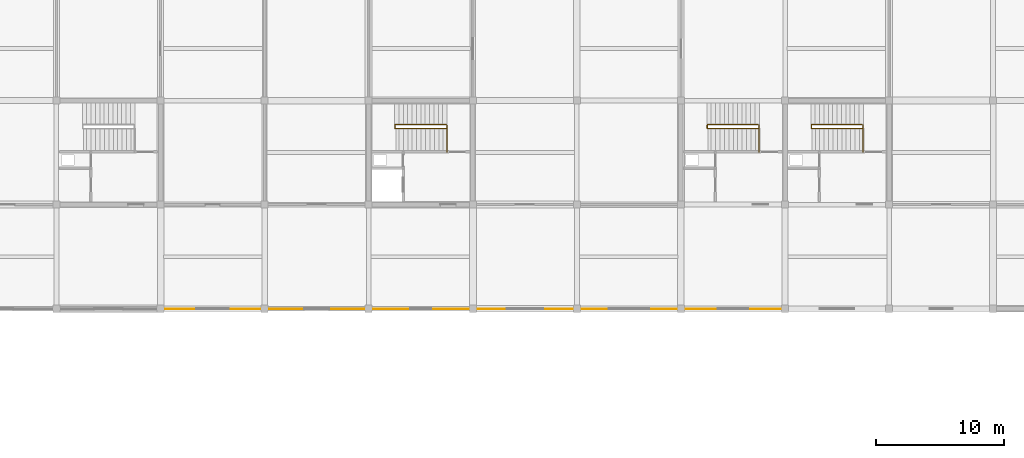
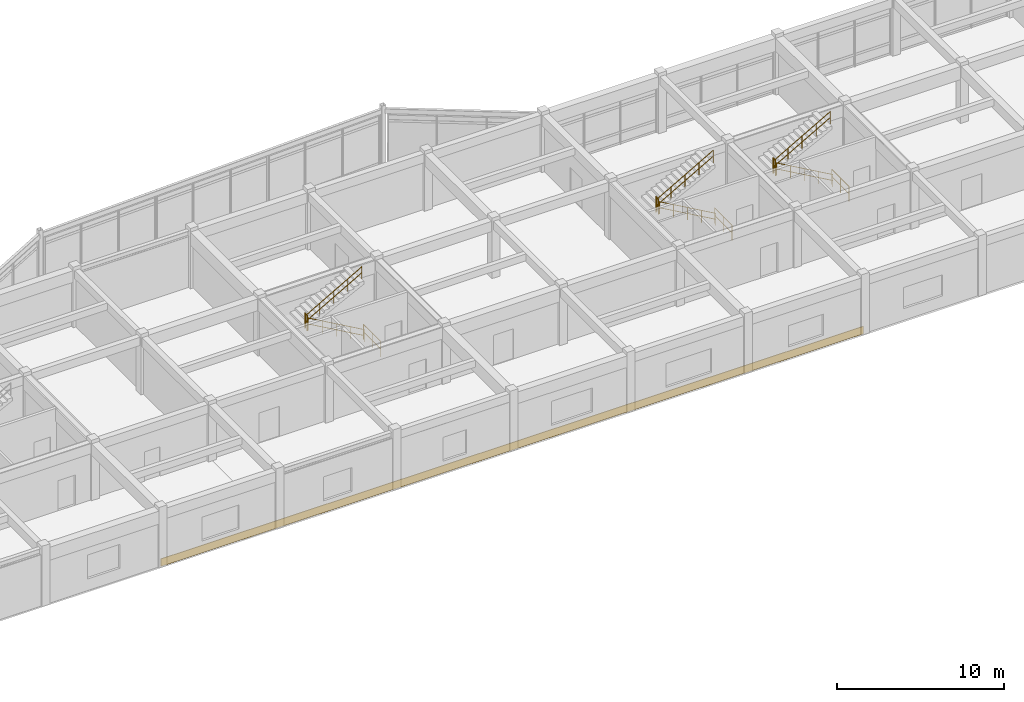
# One storey, part 40 of 42: 12 railings, 1 covering.
"""IFC4 building model written with IfcOpenShell, lengths in metres."""

from ifc_helpers import new_model, si_unit, direction, frame, origin, origin_2d, place, context, subcontext, project, spatial, rectangle, circle, extrude, material, layer, layer_set, type_object, element, save


model = new_model("IFC4")

# Units and contexts
model_context = context("Model", 3, precision=1e-05, world=origin(), true_north=direction((0.0, 1.0)))
body_context = subcontext(model_context, "Body", "Model", "MODEL_VIEW")
ifc_project = project(units=[si_unit("LENGTHUNIT", "METRE"), si_unit("AREAUNIT", "SQUARE_METRE"), si_unit("VOLUMEUNIT", "CUBIC_METRE"), si_unit("PLANEANGLEUNIT", "RADIAN"), si_unit("MASSUNIT", "GRAM", prefix="KILO")], contexts=[model_context])

# Site, building, storey
site_placement = place(None, origin())
site = spatial("IfcSite", under=ifc_project, at=site_placement, CompositionType="ELEMENT")
building_placement = place(site_placement, origin())
building = spatial("IfcBuilding", under=site, at=building_placement, Name="Vaudrelin Polytechnic", CompositionType="ELEMENT")
storey_placement = place(building_placement, frame((0.0, 0.0, 18.530029296875)))
storey = spatial("IfcBuildingStorey", under=building, at=storey_placement, Name="L04", CompositionType="ELEMENT", Elevation=18.530029296875)

# Covering
ifc_material_1 = material(Name="Pre-weathered quartz-zinc standing seam", Category="metal")
ifc_layer = layer(ifc_material_1, 0.044921875)
ifc_layer_set = layer_set([ifc_layer], Name="Pre-weathered quartz-zinc standing seam")
covering_type = type_object("IfcCoveringType", Name="ENV-CLD-ZNC", PredefinedType="CLADDING", material=ifc_layer_set)
covering_placement = place(storey_placement, frame((89.10009765625, 97.179931640625, -0.125), z_axis=(0.0, 0.0, 1.0), x_axis=(1.0, 0.0, 0.0)))
element("IfcCovering", 1, at=covering_placement, inside=storey, type_object=covering_type, Name="Standing-seam zinc fascia cladding CLD-08", PredefinedType="CLADDING", context=body_context, shape_type="SweptSolid", body=[
    extrude(rectangle(XDim=48.60009765625, YDim=0.044921875, at=origin_2d()), origin(), (0.0, 0.0, 1.0), 0.550048828125),
])

# Railings
ifc_material_2 = material(Name="Brushed stainless steel AISI 304", Category="steel")
railing_type_1 = type_object("IfcRailingType", Name="RAL-GR-INT", PredefinedType="GUARDRAIL", material=ifc_material_2)
railing_1_placement = place(storey_placement, frame((87.080078125, 109.409912109375, 0.0)))
element("IfcRailing", 2, at=railing_1_placement, inside=storey, type_object=railing_type_1, Name="ST-02-L03 upper well guardrail", PredefinedType="GUARDRAIL", context=body_context, shape_type="SweptSolid", body=[
    extrude(circle(Radius=0.02392578125, at=origin_2d()), frame((0.0, 0.023193359375, 1.09619140625), z_axis=(0.0, 1.0, 0.0), x_axis=(-1.0, 0.0, 0.0)), (0.0, 0.0, 1.0), 2.02392578125),
    extrude(circle(Radius=0.02392578125, at=origin_2d()), frame((0.0, 0.023193359375, 0.56005859375), z_axis=(0.0, 1.0, 0.0), x_axis=(-1.0, 0.0, 0.0)), (0.0, 0.0, 1.0), 2.02392578125),
    extrude(circle(Radius=0.02099609375, at=origin_2d()), origin(), (0.0, 0.0, 1.0), 1.1201171875),
    extrude(circle(Radius=0.02099609375, at=origin_2d()), frame((0.0, 1.03515625, 0.0)), (0.0, 0.0, 1.0), 1.1201171875),
    extrude(circle(Radius=0.02099609375, at=origin_2d()), frame((0.0, 2.070068359375, 0.0)), (0.0, 0.0, 1.0), 1.1201171875),
])
railing_2_placement = place(storey_placement, frame((83.050048828125, 111.239990234375, 2.2099609375)))
element("IfcRailing", 3, at=railing_2_placement, inside=storey, type_object=railing_type_1, Name="ST-02-L04 landing well guardrail", PredefinedType="GUARDRAIL", context=body_context, shape_type="SweptSolid", body=[
    extrude(circle(Radius=0.02392578125, at=origin_2d()), frame((0.0, 0.023193359375, 1.09619140625), z_axis=(0.0, 1.0, 0.0), x_axis=(-1.0, 0.0, 0.0)), (0.0, 0.0, 1.0), 0.23388671875),
    extrude(circle(Radius=0.02392578125, at=origin_2d()), frame((0.0, 0.023193359375, 0.56005859375), z_axis=(0.0, 1.0, 0.0), x_axis=(-1.0, 0.0, 0.0)), (0.0, 0.0, 1.0), 0.23388671875),
    extrude(circle(Radius=0.02099609375, at=origin_2d()), origin(), (0.0, 0.0, 1.0), 1.1201171875),
    extrude(circle(Radius=0.02099609375, at=origin_2d()), frame((0.0, 0.280029296875, 0.0)), (0.0, 0.0, 1.0), 1.1201171875),
])
railing_3_placement = place(storey_placement, frame((119.47998046875, 109.409912109375, 0.0)))
element("IfcRailing", 4, at=railing_3_placement, inside=storey, type_object=railing_type_1, Name="ST-10-L03 upper well guardrail", PredefinedType="GUARDRAIL", context=body_context, shape_type="SweptSolid", body=[
    extrude(circle(Radius=0.02392578125, at=origin_2d()), frame((0.0, 0.023193359375, 1.09619140625), z_axis=(0.0, 1.0, 0.0), x_axis=(-1.0, 0.0, 0.0)), (0.0, 0.0, 1.0), 2.02392578125),
    extrude(circle(Radius=0.02392578125, at=origin_2d()), frame((0.0, 0.023193359375, 0.56005859375), z_axis=(0.0, 1.0, 0.0), x_axis=(-1.0, 0.0, 0.0)), (0.0, 0.0, 1.0), 2.02392578125),
    extrude(circle(Radius=0.02099609375, at=origin_2d()), origin(), (0.0, 0.0, 1.0), 1.1201171875),
    extrude(circle(Radius=0.02099609375, at=origin_2d()), frame((0.0, 1.03515625, 0.0)), (0.0, 0.0, 1.0), 1.1201171875),
    extrude(circle(Radius=0.02099609375, at=origin_2d()), frame((0.0, 2.070068359375, 0.0)), (0.0, 0.0, 1.0), 1.1201171875),
])
railing_4_placement = place(storey_placement, frame((115.449951171875, 111.239990234375, 2.2099609375)))
element("IfcRailing", 5, at=railing_4_placement, inside=storey, type_object=railing_type_1, Name="ST-10-L04 landing well guardrail", PredefinedType="GUARDRAIL", context=body_context, shape_type="SweptSolid", body=[
    extrude(circle(Radius=0.02392578125, at=origin_2d()), frame((0.0, 0.023193359375, 1.09619140625), z_axis=(0.0, 1.0, 0.0), x_axis=(-1.0, 0.0, 0.0)), (0.0, 0.0, 1.0), 0.23388671875),
    extrude(circle(Radius=0.02392578125, at=origin_2d()), frame((0.0, 0.023193359375, 0.56005859375), z_axis=(0.0, 1.0, 0.0), x_axis=(-1.0, 0.0, 0.0)), (0.0, 0.0, 1.0), 0.23388671875),
    extrude(circle(Radius=0.02099609375, at=origin_2d()), origin(), (0.0, 0.0, 1.0), 1.1201171875),
    extrude(circle(Radius=0.02099609375, at=origin_2d()), frame((0.0, 0.280029296875, 0.0)), (0.0, 0.0, 1.0), 1.1201171875),
])
railing_5_placement = place(storey_placement, frame((111.3798828125, 109.409912109375, 0.0)))
element("IfcRailing", 6, at=railing_5_placement, inside=storey, type_object=railing_type_1, Name="ST-11-L03 upper well guardrail", PredefinedType="GUARDRAIL", context=body_context, shape_type="SweptSolid", body=[
    extrude(circle(Radius=0.02392578125, at=origin_2d()), frame((0.0, 0.023193359375, 1.09619140625), z_axis=(0.0, 1.0, 0.0), x_axis=(-1.0, 0.0, 0.0)), (0.0, 0.0, 1.0), 2.02392578125),
    extrude(circle(Radius=0.02392578125, at=origin_2d()), frame((0.0, 0.023193359375, 0.56005859375), z_axis=(0.0, 1.0, 0.0), x_axis=(-1.0, 0.0, 0.0)), (0.0, 0.0, 1.0), 2.02392578125),
    extrude(circle(Radius=0.02099609375, at=origin_2d()), origin(), (0.0, 0.0, 1.0), 1.1201171875),
    extrude(circle(Radius=0.02099609375, at=origin_2d()), frame((0.0, 1.03515625, 0.0)), (0.0, 0.0, 1.0), 1.1201171875),
    extrude(circle(Radius=0.02099609375, at=origin_2d()), frame((0.0, 2.070068359375, 0.0)), (0.0, 0.0, 1.0), 1.1201171875),
])
railing_6_placement = place(storey_placement, frame((107.35009765625, 111.239990234375, 2.2099609375)))
element("IfcRailing", 7, at=railing_6_placement, inside=storey, type_object=railing_type_1, Name="ST-11-L04 landing well guardrail", PredefinedType="GUARDRAIL", context=body_context, shape_type="SweptSolid", body=[
    extrude(circle(Radius=0.02392578125, at=origin_2d()), frame((0.0, 0.023193359375, 1.09619140625), z_axis=(0.0, 1.0, 0.0), x_axis=(-1.0, 0.0, 0.0)), (0.0, 0.0, 1.0), 0.23388671875),
    extrude(circle(Radius=0.02392578125, at=origin_2d()), frame((0.0, 0.023193359375, 0.56005859375), z_axis=(0.0, 1.0, 0.0), x_axis=(-1.0, 0.0, 0.0)), (0.0, 0.0, 1.0), 0.23388671875),
    extrude(circle(Radius=0.02099609375, at=origin_2d()), origin(), (0.0, 0.0, 1.0), 1.1201171875),
    extrude(circle(Radius=0.02099609375, at=origin_2d()), frame((0.0, 0.280029296875, 0.0)), (0.0, 0.0, 1.0), 1.1201171875),
])
railing_type_2 = type_object("IfcRailingType", Name="RAL-HR-STR", PredefinedType="HANDRAIL", material=ifc_material_2)
railing_7_placement = place(storey_placement, frame((87.0, 111.22998046875, 0.0)))
element("IfcRailing", 8, at=railing_7_placement, inside=storey, type_object=railing_type_2, Name="ST-02-L04 flight 1 handrail", PredefinedType="HANDRAIL", context=body_context, shape_type="SweptSolid", body=[
    extrude(circle(Radius=0.02392578125, at=origin_2d()), frame((-0.02001953125, 0.0, 0.9072265625), z_axis=(-0.86947626696, 0.0, 0.493974717161), x_axis=(0.0, -1.0, 0.0)), (0.0, 0.0, 1.0), 4.427734375),
    extrude(circle(Radius=0.02392578125, at=origin_2d()), frame((-0.02001953125, 0.0, 0.471435546875), z_axis=(-0.86947626696, 0.0, 0.493974717161), x_axis=(0.0, -1.0, 0.0)), (0.0, 0.0, 1.0), 4.427734375),
    extrude(circle(Radius=0.02099609375, at=origin_2d()), origin(), (0.0, 0.0, 1.0), 0.919921875),
    extrude(circle(Radius=0.02099609375, at=origin_2d()), frame((-0.972412109375, 0.0, 0.552490234375)), (0.0, 0.0, 1.0), 0.919921875),
    extrude(circle(Radius=0.02099609375, at=origin_2d()), frame((-1.94482421875, 0.0, 1.10498046875)), (0.0, 0.0, 1.0), 0.919921875),
    extrude(circle(Radius=0.02099609375, at=origin_2d()), frame((-2.91748046875, 0.0, 1.657470703125)), (0.0, 0.0, 1.0), 0.919921875),
    extrude(circle(Radius=0.02099609375, at=origin_2d()), frame((-3.889892578125, 0.0, 2.2099609375)), (0.0, 0.0, 1.0), 0.919921875),
])
railing_8_placement = place(storey_placement, frame((83.110107421875, 111.530029296875, 2.2099609375)))
element("IfcRailing", 9, at=railing_8_placement, inside=storey, type_object=railing_type_2, Name="ST-02-L04 flight 2 handrail", PredefinedType="HANDRAIL", context=body_context, shape_type="SweptSolid", body=[
    extrude(circle(Radius=0.02392578125, at=origin_2d()), frame((0.02001953125, 0.0, 0.9072265625), z_axis=(0.86947626696, 0.0, 0.493974717161), x_axis=(0.0, 1.0, 0.0)), (0.0, 0.0, 1.0), 4.427734375),
    extrude(circle(Radius=0.02392578125, at=origin_2d()), frame((0.02001953125, 0.0, 0.471435546875), z_axis=(0.86947626696, 0.0, 0.493974717161), x_axis=(0.0, 1.0, 0.0)), (0.0, 0.0, 1.0), 4.427734375),
    extrude(circle(Radius=0.02099609375, at=origin_2d()), origin(), (0.0, 0.0, 1.0), 0.919921875),
    extrude(circle(Radius=0.02099609375, at=origin_2d()), frame((0.972412109375, 0.0, 0.552490234375)), (0.0, 0.0, 1.0), 0.919921875),
    extrude(circle(Radius=0.02099609375, at=origin_2d()), frame((1.94482421875, 0.0, 1.10498046875)), (0.0, 0.0, 1.0), 0.919921875),
    extrude(circle(Radius=0.02099609375, at=origin_2d()), frame((2.91748046875, 0.0, 1.657470703125)), (0.0, 0.0, 1.0), 0.919921875),
    extrude(circle(Radius=0.02099609375, at=origin_2d()), frame((3.889892578125, 0.0, 2.2099609375)), (0.0, 0.0, 1.0), 0.919921875),
])
railing_9_placement = place(storey_placement, frame((119.39990234375, 111.22998046875, 0.0)))
element("IfcRailing", 10, at=railing_9_placement, inside=storey, type_object=railing_type_2, Name="ST-10-L04 flight 1 handrail", PredefinedType="HANDRAIL", context=body_context, shape_type="SweptSolid", body=[
    extrude(circle(Radius=0.02392578125, at=origin_2d()), frame((-0.02001953125, 0.0, 0.9072265625), z_axis=(-0.86947626696, 0.0, 0.493974717161), x_axis=(0.0, -1.0, 0.0)), (0.0, 0.0, 1.0), 4.427734375),
    extrude(circle(Radius=0.02392578125, at=origin_2d()), frame((-0.02001953125, 0.0, 0.471435546875), z_axis=(-0.86947626696, 0.0, 0.493974717161), x_axis=(0.0, -1.0, 0.0)), (0.0, 0.0, 1.0), 4.427734375),
    extrude(circle(Radius=0.02099609375, at=origin_2d()), origin(), (0.0, 0.0, 1.0), 0.919921875),
    extrude(circle(Radius=0.02099609375, at=origin_2d()), frame((-0.972412109375, 0.0, 0.552490234375)), (0.0, 0.0, 1.0), 0.919921875),
    extrude(circle(Radius=0.02099609375, at=origin_2d()), frame((-1.94482421875, 0.0, 1.10498046875)), (0.0, 0.0, 1.0), 0.919921875),
    extrude(circle(Radius=0.02099609375, at=origin_2d()), frame((-2.91748046875, 0.0, 1.657470703125)), (0.0, 0.0, 1.0), 0.919921875),
    extrude(circle(Radius=0.02099609375, at=origin_2d()), frame((-3.889892578125, 0.0, 2.2099609375)), (0.0, 0.0, 1.0), 0.919921875),
])
railing_10_placement = place(storey_placement, frame((115.510009765625, 111.530029296875, 2.2099609375)))
element("IfcRailing", 11, at=railing_10_placement, inside=storey, type_object=railing_type_2, Name="ST-10-L04 flight 2 handrail", PredefinedType="HANDRAIL", context=body_context, shape_type="SweptSolid", body=[
    extrude(circle(Radius=0.02392578125, at=origin_2d()), frame((0.02001953125, 0.0, 0.9072265625), z_axis=(0.86947626696, 0.0, 0.493974717161), x_axis=(0.0, 1.0, 0.0)), (0.0, 0.0, 1.0), 4.427734375),
    extrude(circle(Radius=0.02392578125, at=origin_2d()), frame((0.02001953125, 0.0, 0.471435546875), z_axis=(0.86947626696, 0.0, 0.493974717161), x_axis=(0.0, 1.0, 0.0)), (0.0, 0.0, 1.0), 4.427734375),
    extrude(circle(Radius=0.02099609375, at=origin_2d()), origin(), (0.0, 0.0, 1.0), 0.919921875),
    extrude(circle(Radius=0.02099609375, at=origin_2d()), frame((0.972412109375, 0.0, 0.552490234375)), (0.0, 0.0, 1.0), 0.919921875),
    extrude(circle(Radius=0.02099609375, at=origin_2d()), frame((1.94482421875, 0.0, 1.10498046875)), (0.0, 0.0, 1.0), 0.919921875),
    extrude(circle(Radius=0.02099609375, at=origin_2d()), frame((2.91748046875, 0.0, 1.657470703125)), (0.0, 0.0, 1.0), 0.919921875),
    extrude(circle(Radius=0.02099609375, at=origin_2d()), frame((3.889892578125, 0.0, 2.2099609375)), (0.0, 0.0, 1.0), 0.919921875),
])
railing_11_placement = place(storey_placement, frame((111.300048828125, 111.22998046875, 0.0)))
element("IfcRailing", 12, at=railing_11_placement, inside=storey, type_object=railing_type_2, Name="ST-11-L04 flight 1 handrail", PredefinedType="HANDRAIL", context=body_context, shape_type="SweptSolid", body=[
    extrude(circle(Radius=0.02392578125, at=origin_2d()), frame((-0.02001953125, 0.0, 0.9072265625), z_axis=(-0.869489581884, 0.0, 0.493951279981), x_axis=(0.0, -1.0, 0.0)), (0.0, 0.0, 1.0), 4.427734375),
    extrude(circle(Radius=0.02392578125, at=origin_2d()), frame((-0.02001953125, 0.0, 0.471435546875), z_axis=(-0.869489581884, 0.0, 0.493951279981), x_axis=(0.0, -1.0, 0.0)), (0.0, 0.0, 1.0), 4.427734375),
    extrude(circle(Radius=0.02099609375, at=origin_2d()), origin(), (0.0, 0.0, 1.0), 0.919921875),
    extrude(circle(Radius=0.02099609375, at=origin_2d()), frame((-0.97265625, 0.0, 0.552490234375)), (0.0, 0.0, 1.0), 0.919921875),
    extrude(circle(Radius=0.02099609375, at=origin_2d()), frame((-1.945068359375, 0.0, 1.10498046875)), (0.0, 0.0, 1.0), 0.919921875),
    extrude(circle(Radius=0.02099609375, at=origin_2d()), frame((-2.91748046875, 0.0, 1.657470703125)), (0.0, 0.0, 1.0), 0.919921875),
    extrude(circle(Radius=0.02099609375, at=origin_2d()), frame((-3.89013671875, 0.0, 2.2099609375)), (0.0, 0.0, 1.0), 0.919921875),
])
railing_12_placement = place(storey_placement, frame((107.409912109375, 111.530029296875, 2.2099609375)))
element("IfcRailing", 13, at=railing_12_placement, inside=storey, type_object=railing_type_2, Name="ST-11-L04 flight 2 handrail", PredefinedType="HANDRAIL", context=body_context, shape_type="SweptSolid", body=[
    extrude(circle(Radius=0.02392578125, at=origin_2d()), frame((0.02001953125, 0.0, 0.9072265625), z_axis=(0.869489581884, 0.0, 0.493951279981), x_axis=(0.0, 1.0, 0.0)), (0.0, 0.0, 1.0), 4.427734375),
    extrude(circle(Radius=0.02392578125, at=origin_2d()), frame((0.02001953125, 0.0, 0.471435546875), z_axis=(0.869489581884, 0.0, 0.493951279981), x_axis=(0.0, 1.0, 0.0)), (0.0, 0.0, 1.0), 4.427734375),
    extrude(circle(Radius=0.02099609375, at=origin_2d()), origin(), (0.0, 0.0, 1.0), 0.919921875),
    extrude(circle(Radius=0.02099609375, at=origin_2d()), frame((0.97265625, 0.0, 0.552490234375)), (0.0, 0.0, 1.0), 0.919921875),
    extrude(circle(Radius=0.02099609375, at=origin_2d()), frame((1.945068359375, 0.0, 1.10498046875)), (0.0, 0.0, 1.0), 0.919921875),
    extrude(circle(Radius=0.02099609375, at=origin_2d()), frame((2.91748046875, 0.0, 1.657470703125)), (0.0, 0.0, 1.0), 0.919921875),
    extrude(circle(Radius=0.02099609375, at=origin_2d()), frame((3.89013671875, 0.0, 2.2099609375)), (0.0, 0.0, 1.0), 0.919921875),
])

save(model, "model.ifc")
